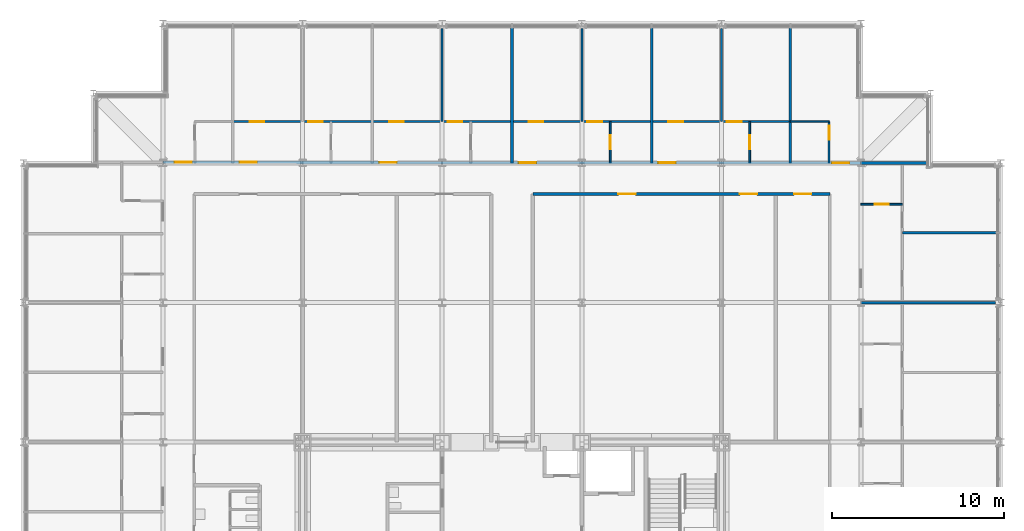
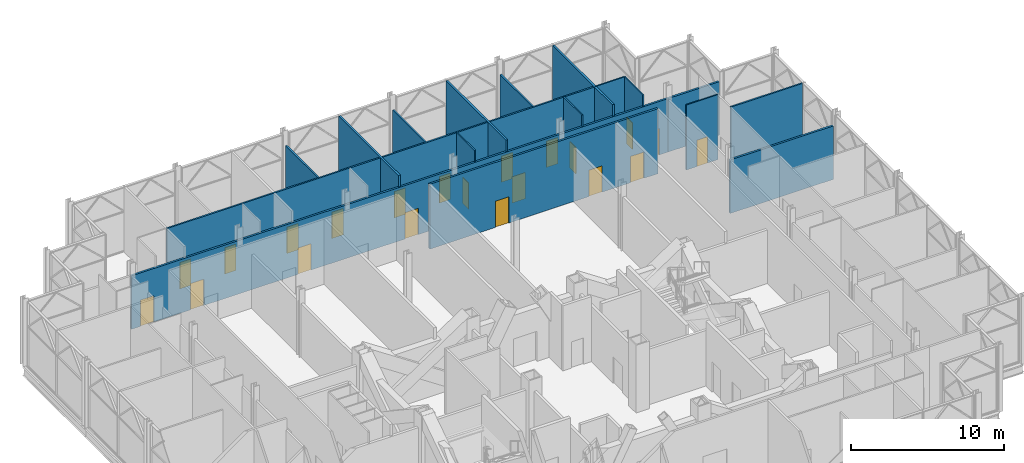
# One storey, part 23 of 26: 21 doors, 17 walls, 21 openings.
"""IFC4 building model written with IfcOpenShell, lengths in metres."""

from ifc_helpers import new_model, si_unit, direction, frame, frame_2d, origin, place, context, subcontext, project, spatial, rectangle, extrude, material, layer, layer_set, type_object, element, fill, save


model = new_model("IFC4")

# Units and contexts
model_context = context("Model", 3, precision=1e-05, world=origin(), true_north=direction((0.0, 1.0)))
body_context = subcontext(model_context, "Body", "Model", "MODEL_VIEW")
ifc_project = project(units=[si_unit("LENGTHUNIT", "METRE"), si_unit("AREAUNIT", "SQUARE_METRE"), si_unit("VOLUMEUNIT", "CUBIC_METRE"), si_unit("PLANEANGLEUNIT", "RADIAN"), si_unit("MASSUNIT", "GRAM", prefix="KILO")], contexts=[model_context])

# Site, building, storey
site_placement = place(None, origin())
site = spatial("IfcSite", under=ifc_project, at=site_placement, CompositionType="ELEMENT")
building_placement = place(site_placement, origin())
building = spatial("IfcBuilding", under=site, at=building_placement, Name="Kopane Lantern Tower", CompositionType="ELEMENT")
storey_placement = place(building_placement, frame((0.0, 0.0, 293.10009765625)))
storey = spatial("IfcBuildingStorey", under=building, at=storey_placement, Name="L75", CompositionType="ELEMENT", Elevation=293.10009765625)

# Wall, openings, doors
ifc_material_1 = material(Name="Gypsum board on steel studs", Category="steel")
ifc_layer_1 = layer(ifc_material_1, 0.1201171875)
ifc_layer_set_1 = layer_set([ifc_layer_1], Name="APARTMENT INTERNAL WALL 120")
wall_type_1 = type_object("IfcWallType", Name="APARTMENT INTERNAL WALL 120", PredefinedType="PARTITIONING", material=ifc_layer_set_1)
wall_1_placement = place(storey_placement, frame((12.14990234375, 59.10009765625, 0.0), z_axis=(0.0, 0.0, 1.0), x_axis=(1.0, 0.0, 0.0)))
wall_1 = element("IfcWall", 1, at=wall_1_placement, inside=storey, type_object=wall_type_1, Name="Apartment Internal Wall 120 L75", PredefinedType="PARTITIONING", context=body_context, shape_type="SweptSolid", body=[
    extrude(rectangle(XDim=32.352294921875, YDim=0.1201171875, at=frame_2d((16.17626953125, 0.0))), origin(), (0.0, 0.0, 1.0), 5.18994140625),
])
opening_1_placement = place(wall_1_placement, frame((0.97509765625, 0.0, 0.0)))
opening_1 = element("IfcOpeningElement", 2, at=opening_1_placement, cuts=wall_1, Name="Opening L75-022", PredefinedType="OPENING", context=body_context, shape_type="SweptSolid", body=[
    extrude(rectangle(XDim=0.85009765625, YDim=2.10009765625, at=frame_2d((0.425048828125, 1.050048828125))), frame((0.0, 0.070068359375, 0.0), z_axis=(0.0, -1.0, 0.0), x_axis=(1.0, 0.0, 0.0)), (0.0, 0.0, 1.0), 0.14013671875),
])
opening_2_placement = place(wall_1_placement, frame((4.375, 0.0, 0.0)))
opening_2 = element("IfcOpeningElement", 3, at=opening_2_placement, cuts=wall_1, Name="Opening L75-023", PredefinedType="OPENING", context=body_context, shape_type="SweptSolid", body=[
    extrude(rectangle(XDim=0.85009765625, YDim=2.10009765625, at=frame_2d((0.425048828125, 1.050048828125))), frame((0.0, 0.070068359375, 0.0), z_axis=(0.0, -1.0, 0.0), x_axis=(1.0, 0.0, 0.0)), (0.0, 0.0, 1.0), 0.14013671875),
])
opening_3_placement = place(wall_1_placement, frame((9.074951171875, 0.0, 0.0)))
opening_3 = element("IfcOpeningElement", 4, at=opening_3_placement, cuts=wall_1, Name="Opening L75-026", PredefinedType="OPENING", context=body_context, shape_type="SweptSolid", body=[
    extrude(rectangle(XDim=0.85009765625, YDim=2.10009765625, at=frame_2d((0.425048828125, 1.050048828125))), frame((0.0, 0.070068359375, 0.0), z_axis=(0.0, -1.0, 0.0), x_axis=(1.0, 0.0, 0.0)), (0.0, 0.0, 1.0), 0.14013671875),
])
opening_4_placement = place(wall_1_placement, frame((12.47509765625, 0.0, 0.0)))
opening_4 = element("IfcOpeningElement", 5, at=opening_4_placement, cuts=wall_1, Name="Opening L75-027", PredefinedType="OPENING", context=body_context, shape_type="SweptSolid", body=[
    extrude(rectangle(XDim=0.85009765625, YDim=2.10009765625, at=frame_2d((0.425048828125, 1.050048828125))), frame((0.0, 0.070068359375, 0.0), z_axis=(0.0, -1.0, 0.0), x_axis=(1.0, 0.0, 0.0)), (0.0, 0.0, 1.0), 0.14013671875),
])
opening_5_placement = place(wall_1_placement, frame((17.175048828125, 0.0, 0.0)))
opening_5 = element("IfcOpeningElement", 6, at=opening_5_placement, cuts=wall_1, Name="Opening L75-030", PredefinedType="OPENING", context=body_context, shape_type="SweptSolid", body=[
    extrude(rectangle(XDim=0.85009765625, YDim=2.10009765625, at=frame_2d((0.425048828125, 1.050048828125))), frame((0.0, 0.070068359375, 0.0), z_axis=(0.0, -1.0, 0.0), x_axis=(1.0, 0.0, 0.0)), (0.0, 0.0, 1.0), 0.14013671875),
])
opening_6_placement = place(wall_1_placement, frame((20.574951171875, 0.0, 0.0)))
opening_6 = element("IfcOpeningElement", 7, at=opening_6_placement, cuts=wall_1, Name="Opening L75-031", PredefinedType="OPENING", context=body_context, shape_type="SweptSolid", body=[
    extrude(rectangle(XDim=0.85009765625, YDim=2.10009765625, at=frame_2d((0.425048828125, 1.050048828125))), frame((0.0, 0.070068359375, 0.0), z_axis=(0.0, -1.0, 0.0), x_axis=(1.0, 0.0, 0.0)), (0.0, 0.0, 1.0), 0.14013671875),
])
opening_7_placement = place(wall_1_placement, frame((25.27490234375, 0.0, 0.0)))
opening_7 = element("IfcOpeningElement", 8, at=opening_7_placement, cuts=wall_1, Name="Opening L75-034", PredefinedType="OPENING", context=body_context, shape_type="SweptSolid", body=[
    extrude(rectangle(XDim=0.85009765625, YDim=2.10009765625, at=frame_2d((0.425048828125, 1.050048828125))), frame((0.0, 0.070068359375, 0.0), z_axis=(0.0, -1.0, 0.0), x_axis=(1.0, 0.0, 0.0)), (0.0, 0.0, 1.0), 0.14013671875),
])
opening_8_placement = place(wall_1_placement, frame((28.675048828125, 0.0, 0.0)))
opening_8 = element("IfcOpeningElement", 9, at=opening_8_placement, cuts=wall_1, Name="Opening L75-035", PredefinedType="OPENING", context=body_context, shape_type="SweptSolid", body=[
    extrude(rectangle(XDim=0.85009765625, YDim=2.10009765625, at=frame_2d((0.425048828125, 1.050048828125))), frame((0.0, 0.070068359375, 0.0), z_axis=(0.0, -1.0, 0.0), x_axis=(1.0, 0.0, 0.0)), (0.0, 0.0, 1.0), 0.14013671875),
])
ifc_material_2 = material(Name="Timber door set", Category="wood")
door_type_1 = type_object("IfcDoorType", Name="DOOR D4 850x2100", OperationType="SINGLE_SWING_LEFT", PredefinedType="DOOR", material=ifc_material_2)
door_1_placement = place(opening_1_placement, origin())
door_1 = element("IfcDoor", 10, at=door_1_placement, inside=storey, type_object=door_type_1, Name="Door L75-022", OperationType="SINGLE_SWING_RIGHT", OverallHeight=2.10009765625, OverallWidth=0.85009765625, PredefinedType="DOOR", context=body_context, shape_type="SweptSolid", body=[
    extrude(rectangle(XDim=0.85009765625, YDim=2.10009765625, at=frame_2d((0.425048828125, 1.050048828125))), frame((0.0, 0.02490234375, 0.0), z_axis=(0.0, -1.0, 0.0), x_axis=(1.0, 0.0, 0.0)), (0.0, 0.0, 1.0), 0.050048828125),
])
fill(opening_1, door_1)
door_2_placement = place(opening_2_placement, origin())
door_2 = element("IfcDoor", 11, at=door_2_placement, inside=storey, type_object=door_type_1, Name="Door L75-023", OperationType="SINGLE_SWING_LEFT", OverallHeight=2.10009765625, OverallWidth=0.85009765625, PredefinedType="DOOR", context=body_context, shape_type="SweptSolid", body=[
    extrude(rectangle(XDim=0.85009765625, YDim=2.10009765625, at=frame_2d((0.425048828125, 1.050048828125))), frame((0.0, 0.02490234375, 0.0), z_axis=(0.0, -1.0, 0.0), x_axis=(1.0, 0.0, 0.0)), (0.0, 0.0, 1.0), 0.050048828125),
])
fill(opening_2, door_2)
door_3_placement = place(opening_3_placement, origin())
door_3 = element("IfcDoor", 12, at=door_3_placement, inside=storey, type_object=door_type_1, Name="Door L75-026", OperationType="SINGLE_SWING_RIGHT", OverallHeight=2.10009765625, OverallWidth=0.85009765625, PredefinedType="DOOR", context=body_context, shape_type="SweptSolid", body=[
    extrude(rectangle(XDim=0.85009765625, YDim=2.10009765625, at=frame_2d((0.425048828125, 1.050048828125))), frame((0.0, 0.02490234375, 0.0), z_axis=(0.0, -1.0, 0.0), x_axis=(1.0, 0.0, 0.0)), (0.0, 0.0, 1.0), 0.050048828125),
])
fill(opening_3, door_3)
door_4_placement = place(opening_4_placement, origin())
door_4 = element("IfcDoor", 13, at=door_4_placement, inside=storey, type_object=door_type_1, Name="Door L75-027", OperationType="SINGLE_SWING_LEFT", OverallHeight=2.10009765625, OverallWidth=0.85009765625, PredefinedType="DOOR", context=body_context, shape_type="SweptSolid", body=[
    extrude(rectangle(XDim=0.85009765625, YDim=2.10009765625, at=frame_2d((0.425048828125, 1.050048828125))), frame((0.0, 0.02490234375, 0.0), z_axis=(0.0, -1.0, 0.0), x_axis=(1.0, 0.0, 0.0)), (0.0, 0.0, 1.0), 0.050048828125),
])
fill(opening_4, door_4)
door_5_placement = place(opening_5_placement, origin())
door_5 = element("IfcDoor", 14, at=door_5_placement, inside=storey, type_object=door_type_1, Name="Door L75-030", OperationType="SINGLE_SWING_RIGHT", OverallHeight=2.10009765625, OverallWidth=0.85009765625, PredefinedType="DOOR", context=body_context, shape_type="SweptSolid", body=[
    extrude(rectangle(XDim=0.85009765625, YDim=2.10009765625, at=frame_2d((0.425048828125, 1.050048828125))), frame((0.0, 0.02490234375, 0.0), z_axis=(0.0, -1.0, 0.0), x_axis=(1.0, 0.0, 0.0)), (0.0, 0.0, 1.0), 0.050048828125),
])
fill(opening_5, door_5)
door_6_placement = place(opening_6_placement, origin())
door_6 = element("IfcDoor", 15, at=door_6_placement, inside=storey, type_object=door_type_1, Name="Door L75-031", OperationType="SINGLE_SWING_LEFT", OverallHeight=2.10009765625, OverallWidth=0.85009765625, PredefinedType="DOOR", context=body_context, shape_type="SweptSolid", body=[
    extrude(rectangle(XDim=0.85009765625, YDim=2.10009765625, at=frame_2d((0.425048828125, 1.050048828125))), frame((0.0, 0.02490234375, 0.0), z_axis=(0.0, -1.0, 0.0), x_axis=(1.0, 0.0, 0.0)), (0.0, 0.0, 1.0), 0.050048828125),
])
fill(opening_6, door_6)
door_7_placement = place(opening_7_placement, origin())
door_7 = element("IfcDoor", 16, at=door_7_placement, inside=storey, type_object=door_type_1, Name="Door L75-034", OperationType="SINGLE_SWING_RIGHT", OverallHeight=2.10009765625, OverallWidth=0.85009765625, PredefinedType="DOOR", context=body_context, shape_type="SweptSolid", body=[
    extrude(rectangle(XDim=0.85009765625, YDim=2.10009765625, at=frame_2d((0.425048828125, 1.050048828125))), frame((0.0, 0.02490234375, 0.0), z_axis=(0.0, -1.0, 0.0), x_axis=(1.0, 0.0, 0.0)), (0.0, 0.0, 1.0), 0.050048828125),
])
fill(opening_7, door_7)
door_8_placement = place(opening_8_placement, origin())
door_8 = element("IfcDoor", 17, at=door_8_placement, inside=storey, type_object=door_type_1, Name="Door L75-035", OperationType="SINGLE_SWING_LEFT", OverallHeight=2.10009765625, OverallWidth=0.85009765625, PredefinedType="DOOR", context=body_context, shape_type="SweptSolid", body=[
    extrude(rectangle(XDim=0.85009765625, YDim=2.10009765625, at=frame_2d((0.425048828125, 1.050048828125))), frame((0.0, 0.02490234375, 0.0), z_axis=(0.0, -1.0, 0.0), x_axis=(1.0, 0.0, 0.0)), (0.0, 0.0, 1.0), 0.050048828125),
])
fill(opening_8, door_8)

# Walls
for number, where, z_axis, x_axis, name in (
    (18, (24.300048828125, 59.10009765625, 0.0), (0.0, 0.0, 1.0), (0.0, 1.0, 0.0), "Apartment Internal Wall 120 L75"),
    (19, (32.39990234375, 59.10009765625, 0.0), (0.0, 0.0, 1.0), (0.0, 1.0, 0.0), "Apartment Internal Wall 120 L75"),
    (20, (40.5, 59.10009765625, 0.0), (0.0, 0.0, 1.0), (0.0, 1.0, 0.0), "Apartment Internal Wall 120 L75"),
):
    element("IfcWall", number, at=place(storey_placement, frame(where, z_axis=z_axis, x_axis=x_axis)), inside=storey, type_object=wall_type_1, Name=name, PredefinedType="PARTITIONING", context=body_context, shape_type="SweptSolid", body=[
        extrude(rectangle(XDim=5.39990234375, YDim=0.1201171875, at=frame_2d((2.699951171875, 0.0))), origin(), (0.0, 0.0, 1.0), 4.271484375),
    ])
wall_2_placement = place(storey_placement, frame((51.0, 52.64990234375, 0.0), z_axis=(0.0, 0.0, 1.0), x_axis=(1.0, 0.0, 0.0)))
element("IfcWall", 21, at=wall_2_placement, inside=storey, type_object=wall_type_1, Name="Apartment Internal Wall 120 L75", PredefinedType="PARTITIONING", context=body_context, shape_type="SweptSolid", body=[
    extrude(rectangle(XDim=5.422119140625, YDim=0.1201171875, at=frame_2d((2.7109375, 0.0))), origin(), (0.0, 0.0, 1.0), 5.18994140625),
])

# Wall, opening, door
ifc_material_3 = material(Name="Moisture-resistant board on steel studs", Category="steel")
ifc_layer_2 = layer(ifc_material_3, 0.10009765625)
ifc_layer_set_2 = layer_set([ifc_layer_2], Name="BATHROOM WALL 100")
wall_type_2 = type_object("IfcWallType", Name="BATHROOM WALL 100", PredefinedType="PARTITIONING", material=ifc_layer_set_2)
wall_3_placement = place(storey_placement, frame((34.050048828125, 56.699951171875, 0.0), z_axis=(0.0, 0.0, 1.0), x_axis=(0.0, 1.0, 0.0)))
wall_3 = element("IfcWall", 22, at=wall_3_placement, inside=storey, type_object=wall_type_2, Name="Bathroom Wall 100 L75", PredefinedType="PARTITIONING", context=body_context, shape_type="SweptSolid", body=[
    extrude(rectangle(XDim=2.400146484375, YDim=0.10009765625, at=frame_2d((1.2001953125, 0.0))), origin(), (0.0, 0.0, 1.0), 5.18994140625),
])
opening_9_placement = place(wall_3_placement, frame((0.800048828125, 0.0, 0.0)))
opening_9 = element("IfcOpeningElement", 23, at=opening_9_placement, cuts=wall_3, Name="Opening L75-028", PredefinedType="OPENING", context=body_context, shape_type="SweptSolid", body=[
    extrude(rectangle(XDim=0.800048828125, YDim=2.10009765625, at=frame_2d((0.39990234375, 1.050048828125))), frame((0.0, 0.06005859375, 0.0), z_axis=(0.0, -1.0, 0.0), x_axis=(1.0, 0.0, 0.0)), (0.0, 0.0, 1.0), 0.1201171875),
])
ifc_material_4 = material(Name="Timber door set", Category="wood")
door_type_2 = type_object("IfcDoorType", Name="DOOR D2 800x2100", OperationType="SINGLE_SWING_LEFT", PredefinedType="DOOR", material=ifc_material_4)
door_9_placement = place(opening_9_placement, origin())
door_9 = element("IfcDoor", 24, at=door_9_placement, inside=storey, type_object=door_type_2, Name="Door L75-028", OperationType="SINGLE_SWING_RIGHT", OverallHeight=2.10009765625, OverallWidth=0.800048828125, PredefinedType="DOOR", context=body_context, shape_type="SweptSolid", body=[
    extrude(rectangle(XDim=0.800048828125, YDim=2.10009765625, at=frame_2d((0.39990234375, 1.050048828125))), frame((0.0, 0.02490234375, 0.0), z_axis=(0.0, -1.0, 0.0), x_axis=(1.0, 0.0, 0.0)), (0.0, 0.0, 1.0), 0.050048828125),
])
fill(opening_9, door_9)

wall_4_placement = place(storey_placement, frame((42.14990234375, 56.699951171875, 0.0), z_axis=(0.0, 0.0, 1.0), x_axis=(0.0, 1.0, 0.0)))
wall_4 = element("IfcWall", 25, at=wall_4_placement, inside=storey, type_object=wall_type_2, Name="Bathroom Wall 100 L75", PredefinedType="PARTITIONING", context=body_context, shape_type="SweptSolid", body=[
    extrude(rectangle(XDim=2.400146484375, YDim=0.10009765625, at=frame_2d((1.2001953125, 0.0))), origin(), (0.0, 0.0, 1.0), 5.18994140625),
])
opening_10_placement = place(wall_4_placement, frame((0.800048828125, 0.0, 0.0)))
opening_10 = element("IfcOpeningElement", 26, at=opening_10_placement, cuts=wall_4, Name="Opening L75-032", PredefinedType="OPENING", context=body_context, shape_type="SweptSolid", body=[
    extrude(rectangle(XDim=0.800048828125, YDim=2.10009765625, at=frame_2d((0.39990234375, 1.050048828125))), frame((0.0, 0.06005859375, 0.0), z_axis=(0.0, -1.0, 0.0), x_axis=(1.0, 0.0, 0.0)), (0.0, 0.0, 1.0), 0.1201171875),
])
door_10_placement = place(opening_10_placement, origin())
door_10 = element("IfcDoor", 27, at=door_10_placement, inside=storey, type_object=door_type_2, Name="Door L75-032", OperationType="SINGLE_SWING_RIGHT", OverallHeight=2.10009765625, OverallWidth=0.800048828125, PredefinedType="DOOR", context=body_context, shape_type="SweptSolid", body=[
    extrude(rectangle(XDim=0.800048828125, YDim=2.10009765625, at=frame_2d((0.39990234375, 1.050048828125))), frame((0.0, 0.02490234375, 0.0), z_axis=(0.0, -1.0, 0.0), x_axis=(1.0, 0.0, 0.0)), (0.0, 0.0, 1.0), 0.050048828125),
])
fill(opening_10, door_10)

wall_5_placement = place(storey_placement, frame((48.60009765625, 54.300048828125, 0.0), z_axis=(0.0, 0.0, 1.0), x_axis=(1.0, 0.0, 0.0)))
wall_5 = element("IfcWall", 28, at=wall_5_placement, inside=storey, type_object=wall_type_2, Name="Bathroom Wall 100 L75", PredefinedType="PARTITIONING", context=body_context, shape_type="SweptSolid", body=[
    extrude(rectangle(XDim=2.39990234375, YDim=0.10009765625, at=frame_2d((1.199951171875, 0.0))), origin(), (0.0, 0.0, 1.0), 5.18994140625),
])
opening_11_placement = place(wall_5_placement, frame((0.800048828125, 0.0, 0.0)))
opening_11 = element("IfcOpeningElement", 29, at=opening_11_placement, cuts=wall_5, Name="Opening L75-063", PredefinedType="OPENING", context=body_context, shape_type="SweptSolid", body=[
    extrude(rectangle(XDim=0.800048828125, YDim=2.10009765625, at=frame_2d((0.39990234375, 1.050048828125))), frame((0.0, 0.06005859375, 0.0), z_axis=(0.0, -1.0, 0.0), x_axis=(1.0, 0.0, 0.0)), (0.0, 0.0, 1.0), 0.1201171875),
])
door_11_placement = place(opening_11_placement, origin())
door_11 = element("IfcDoor", 30, at=door_11_placement, inside=storey, type_object=door_type_2, Name="Door L75-063", OperationType="SINGLE_SWING_LEFT", OverallHeight=2.10009765625, OverallWidth=0.800048828125, PredefinedType="DOOR", context=body_context, shape_type="SweptSolid", body=[
    extrude(rectangle(XDim=0.800048828125, YDim=2.10009765625, at=frame_2d((0.39990234375, 1.050048828125))), frame((0.0, 0.02490234375, 0.0), z_axis=(0.0, -1.0, 0.0), x_axis=(1.0, 0.0, 0.0)), (0.0, 0.0, 1.0), 0.050048828125),
])
fill(opening_11, door_11)

# Wall
wall_6_placement = place(storey_placement, frame((44.502197265625, 59.10009765625, 0.0), z_axis=(0.0, 0.0, 1.0), x_axis=(1.0, 0.0, 0.0)))
element("IfcWall", 31, at=wall_6_placement, inside=storey, type_object=wall_type_2, Name="Bathroom Wall 100 L75", PredefinedType="PARTITIONING", context=body_context, shape_type="SweptSolid", body=[
    extrude(rectangle(XDim=2.247802734375, YDim=0.10009765625, at=frame_2d((1.1240234375, 0.0))), origin(), (0.0, 0.0, 1.0), 5.18994140625),
])

# Wall, opening, door
wall_7_placement = place(storey_placement, frame((46.75, 56.699951171875, 0.0), z_axis=(0.0, 0.0, 1.0), x_axis=(0.0, 1.0, 0.0)))
wall_7 = element("IfcWall", 32, at=wall_7_placement, inside=storey, type_object=wall_type_2, Name="Bathroom Wall 100 L75", PredefinedType="PARTITIONING", context=body_context, shape_type="SweptSolid", body=[
    extrude(rectangle(XDim=2.400146484375, YDim=0.10009765625, at=frame_2d((1.2001953125, 0.0))), origin(), (0.0, 0.0, 1.0), 5.18994140625),
])
opening_12_placement = place(wall_7_placement, frame((1.35009765625, 0.0, 0.0)))
opening_12 = element("IfcOpeningElement", 33, at=opening_12_placement, cuts=wall_7, Name="Opening L75-071", PredefinedType="OPENING", context=body_context, shape_type="SweptSolid", body=[
    extrude(rectangle(XDim=0.800048828125, YDim=2.10009765625, at=frame_2d((0.39990234375, 1.050048828125))), frame((0.0, 0.06005859375, 0.0), z_axis=(0.0, -1.0, 0.0), x_axis=(1.0, 0.0, 0.0)), (0.0, 0.0, 1.0), 0.1201171875),
])
door_12_placement = place(opening_12_placement, origin())
door_12 = element("IfcDoor", 34, at=door_12_placement, inside=storey, type_object=door_type_2, Name="Door L75-071", OperationType="SINGLE_SWING_RIGHT", OverallHeight=2.10009765625, OverallWidth=0.800048828125, PredefinedType="DOOR", context=body_context, shape_type="SweptSolid", body=[
    extrude(rectangle(XDim=0.800048828125, YDim=2.10009765625, at=frame_2d((0.39990234375, 1.050048828125))), frame((0.0, 0.02490234375, 0.0), z_axis=(0.0, -1.0, 0.0), x_axis=(1.0, 0.0, 0.0)), (0.0, 0.0, 1.0), 0.050048828125),
])
fill(opening_12, door_12)

# Wall, openings, doors
ifc_material_5 = material(Name="Gypsum board on steel studs", Category="steel")
ifc_layer_3 = layer(ifc_material_5, 0.14990234375)
ifc_layer_set_3 = layer_set([ifc_layer_3], Name="CORRIDOR WALL 150 EI 60")
wall_type_3 = type_object("IfcWallType", Name="CORRIDOR WALL 150 EI 60", PredefinedType="PARTITIONING", material=ifc_layer_set_3)
wall_8_placement = place(storey_placement, frame((8.10009765625, 56.737548828125, 0.0), z_axis=(0.0, 0.0, 1.0), x_axis=(0.999999569095, -0.000928336791, 0.0)))
wall_8 = element("IfcWall", 35, at=wall_8_placement, inside=storey, type_object=wall_type_3, Name="Corridor Wall 150 Ei 60 L75", PredefinedType="PARTITIONING", context=body_context, shape_type="SweptSolid", body=[
    extrude(rectangle(XDim=40.5, YDim=0.14990234375, at=frame_2d((20.25, 0.0))), origin(), (0.0, 0.0, 1.0), 4.271484375),
])
opening_13_placement = place(wall_8_placement, frame((4.449951171875, 0.0, 0.0)))
opening_13 = element("IfcOpeningElement", 36, at=opening_13_placement, cuts=wall_8, Name="Opening L75-021", PredefinedType="OPENING", context=body_context, shape_type="SweptSolid", body=[
    extrude(rectangle(XDim=1.0, YDim=2.10009765625, at=frame_2d((0.5, 1.050048828125))), frame((0.0, 0.0849609375, 0.0), z_axis=(0.0, -1.0, 0.0), x_axis=(1.0, 0.0, 0.0)), (0.0, 0.0, 1.0), 0.169921875),
])
opening_14_placement = place(wall_8_placement, frame((12.550048828125, 0.0, 0.0)))
opening_14 = element("IfcOpeningElement", 37, at=opening_14_placement, cuts=wall_8, Name="Opening L75-025", PredefinedType="OPENING", context=body_context, shape_type="SweptSolid", body=[
    extrude(rectangle(XDim=1.0, YDim=2.10009765625, at=frame_2d((0.5, 1.050048828125))), frame((0.0, 0.0849609375, 0.0), z_axis=(0.0, -1.0, 0.0), x_axis=(1.0, 0.0, 0.0)), (0.0, 0.0, 1.0), 0.169921875),
])
opening_15_placement = place(wall_8_placement, frame((20.64990234375, 0.0, 0.0)))
opening_15 = element("IfcOpeningElement", 38, at=opening_15_placement, cuts=wall_8, Name="Opening L75-029", PredefinedType="OPENING", context=body_context, shape_type="SweptSolid", body=[
    extrude(rectangle(XDim=1.0, YDim=2.10009765625, at=frame_2d((0.5, 1.050048828125))), frame((0.0, 0.0849609375, 0.0), z_axis=(0.0, -1.0, 0.0), x_axis=(1.0, 0.0, 0.0)), (0.0, 0.0, 1.0), 0.169921875),
])
opening_16_placement = place(wall_8_placement, frame((28.75, 0.0, 0.0)))
opening_16 = element("IfcOpeningElement", 39, at=opening_16_placement, cuts=wall_8, Name="Opening L75-033", PredefinedType="OPENING", context=body_context, shape_type="SweptSolid", body=[
    extrude(rectangle(XDim=1.0, YDim=2.10009765625, at=frame_2d((0.5, 1.050048828125))), frame((0.0, 0.0849609375, 0.0), z_axis=(0.0, -1.0, 0.0), x_axis=(1.0, 0.0, 0.0)), (0.0, 0.0, 1.0), 0.169921875),
])
opening_17_placement = place(wall_8_placement, frame((38.824951171875, 0.0, 0.0)))
opening_17 = element("IfcOpeningElement", 40, at=opening_17_placement, cuts=wall_8, Name="Opening L75-072", PredefinedType="OPENING", context=body_context, shape_type="SweptSolid", body=[
    extrude(rectangle(XDim=1.0, YDim=2.10009765625, at=frame_2d((0.5, 1.050048828125))), frame((0.0, 0.0849609375, 0.0), z_axis=(0.0, -1.0, 0.0), x_axis=(1.0, 0.0, 0.0)), (0.0, 0.0, 1.0), 0.169921875),
])
opening_18_placement = place(wall_8_placement, frame((0.675048828125, 0.0, 0.0)))
opening_18 = element("IfcOpeningElement", 41, at=opening_18_placement, cuts=wall_8, Name="Opening L75-074", PredefinedType="OPENING", context=body_context, shape_type="SweptSolid", body=[
    extrude(rectangle(XDim=1.0, YDim=2.10009765625, at=frame_2d((0.5, 1.050048828125))), frame((0.0, 0.0849609375, 0.0), z_axis=(0.0, -1.0, 0.0), x_axis=(1.0, 0.0, 0.0)), (0.0, 0.0, 1.0), 0.169921875),
])
ifc_material_6 = material(Name="Steel door set", Category="steel")
door_type_3 = type_object("IfcDoorType", Name="DOOR D3 1000x2100 FD30S", OperationType="SINGLE_SWING_LEFT", PredefinedType="DOOR", material=ifc_material_6)
door_13_placement = place(opening_13_placement, origin())
door_13 = element("IfcDoor", 42, at=door_13_placement, inside=storey, type_object=door_type_3, Name="Door L75-021", OperationType="SINGLE_SWING_LEFT", OverallHeight=2.10009765625, OverallWidth=1.0, PredefinedType="DOOR", context=body_context, shape_type="SweptSolid", body=[
    extrude(rectangle(XDim=1.0, YDim=2.10009765625, at=frame_2d((0.5, 1.050048828125))), frame((0.0, 0.02490234375, 0.0), z_axis=(0.0, -1.0, 0.0), x_axis=(1.0, 0.0, 0.0)), (0.0, 0.0, 1.0), 0.050048828125),
])
fill(opening_13, door_13)
door_14_placement = place(opening_14_placement, origin())
door_14 = element("IfcDoor", 43, at=door_14_placement, inside=storey, type_object=door_type_3, Name="Door L75-025", OperationType="SINGLE_SWING_LEFT", OverallHeight=2.10009765625, OverallWidth=1.0, PredefinedType="DOOR", context=body_context, shape_type="SweptSolid", body=[
    extrude(rectangle(XDim=1.0, YDim=2.10009765625, at=frame_2d((0.5, 1.050048828125))), frame((0.0, 0.02490234375, 0.0), z_axis=(0.0, -1.0, 0.0), x_axis=(1.0, 0.0, 0.0)), (0.0, 0.0, 1.0), 0.050048828125),
])
fill(opening_14, door_14)
door_15_placement = place(opening_15_placement, origin())
door_15 = element("IfcDoor", 44, at=door_15_placement, inside=storey, type_object=door_type_3, Name="Door L75-029", OperationType="SINGLE_SWING_LEFT", OverallHeight=2.10009765625, OverallWidth=1.0, PredefinedType="DOOR", context=body_context, shape_type="SweptSolid", body=[
    extrude(rectangle(XDim=1.0, YDim=2.10009765625, at=frame_2d((0.5, 1.050048828125))), frame((0.0, 0.02490234375, 0.0), z_axis=(0.0, -1.0, 0.0), x_axis=(1.0, 0.0, 0.0)), (0.0, 0.0, 1.0), 0.050048828125),
])
fill(opening_15, door_15)
door_16_placement = place(opening_16_placement, origin())
door_16 = element("IfcDoor", 45, at=door_16_placement, inside=storey, type_object=door_type_3, Name="Door L75-033", OperationType="SINGLE_SWING_LEFT", OverallHeight=2.10009765625, OverallWidth=1.0, PredefinedType="DOOR", context=body_context, shape_type="SweptSolid", body=[
    extrude(rectangle(XDim=1.0, YDim=2.10009765625, at=frame_2d((0.5, 1.050048828125))), frame((0.0, 0.02490234375, 0.0), z_axis=(0.0, -1.0, 0.0), x_axis=(1.0, 0.0, 0.0)), (0.0, 0.0, 1.0), 0.050048828125),
])
fill(opening_16, door_16)
door_17_placement = place(opening_17_placement, origin())
door_17 = element("IfcDoor", 46, at=door_17_placement, inside=storey, type_object=door_type_3, Name="Door L75-072", OperationType="SINGLE_SWING_LEFT", OverallHeight=2.10009765625, OverallWidth=1.0, PredefinedType="DOOR", context=body_context, shape_type="SweptSolid", body=[
    extrude(rectangle(XDim=1.0, YDim=2.10009765625, at=frame_2d((0.5, 1.050048828125))), frame((0.0, 0.02490234375, 0.0), z_axis=(0.0, -1.0, 0.0), x_axis=(1.0, 0.0, 0.0)), (0.0, 0.0, 1.0), 0.050048828125),
])
fill(opening_17, door_17)
door_18_placement = place(opening_18_placement, origin())
door_18 = element("IfcDoor", 47, at=door_18_placement, inside=storey, type_object=door_type_3, Name="Door L75-074", OperationType="SINGLE_SWING_RIGHT", OverallHeight=2.10009765625, OverallWidth=1.0, PredefinedType="DOOR", context=body_context, shape_type="SweptSolid", body=[
    extrude(rectangle(XDim=1.0, YDim=2.10009765625, at=frame_2d((0.5, 1.050048828125))), frame((0.0, 0.02490234375, 0.0), z_axis=(0.0, -1.0, 0.0), x_axis=(1.0, 0.0, 0.0)), (0.0, 0.0, 1.0), 0.050048828125),
])
fill(opening_18, door_18)

wall_9_placement = place(storey_placement, frame((46.800048828125, 54.89990234375, 0.0), z_axis=(0.0, 0.0, 1.0), x_axis=(-1.0, 0.0, 0.0)))
wall_9 = element("IfcWall", 48, at=wall_9_placement, inside=storey, type_object=wall_type_3, Name="Corridor Wall 150 Ei 60 L75", PredefinedType="PARTITIONING", context=body_context, shape_type="SweptSolid", body=[
    extrude(rectangle(XDim=17.239990234375, YDim=0.14990234375, at=frame_2d((8.6201171875, 0.0))), origin(), (0.0, 0.0, 1.0), 5.18994140625),
])
opening_19_placement = place(wall_9_placement, frame((11.27490234375, 0.0, 0.0)))
opening_19 = element("IfcOpeningElement", 49, at=opening_19_placement, cuts=wall_9, Name="Opening L75-011", PredefinedType="OPENING", context=body_context, shape_type="SweptSolid", body=[
    extrude(rectangle(XDim=1.0, YDim=2.10009765625, at=frame_2d((0.5, 1.050048828125))), frame((0.0, 0.0849609375, 0.0), z_axis=(0.0, -1.0, 0.0), x_axis=(1.0, 0.0, 0.0)), (0.0, 0.0, 1.0), 0.169921875),
])
opening_20_placement = place(wall_9_placement, frame((4.22509765625, 0.0, 0.0)))
opening_20 = element("IfcOpeningElement", 50, at=opening_20_placement, cuts=wall_9, Name="Opening L75-012", PredefinedType="OPENING", context=body_context, shape_type="SweptSolid", body=[
    extrude(rectangle(XDim=1.0, YDim=2.10009765625, at=frame_2d((0.5, 1.050048828125))), frame((0.0, 0.0849609375, 0.0), z_axis=(0.0, -1.0, 0.0), x_axis=(1.0, 0.0, 0.0)), (0.0, 0.0, 1.0), 0.169921875),
])
opening_21_placement = place(wall_9_placement, frame((1.074951171875, 0.0, 0.0)))
opening_21 = element("IfcOpeningElement", 51, at=opening_21_placement, cuts=wall_9, Name="Opening L75-013", PredefinedType="OPENING", context=body_context, shape_type="SweptSolid", body=[
    extrude(rectangle(XDim=1.0, YDim=2.10009765625, at=frame_2d((0.5, 1.050048828125))), frame((0.0, 0.0849609375, 0.0), z_axis=(0.0, -1.0, 0.0), x_axis=(1.0, 0.0, 0.0)), (0.0, 0.0, 1.0), 0.169921875),
])
ifc_material_7 = material(Name="Steel door set", Category="steel")
door_type_4 = type_object("IfcDoorType", Name="DOOR D5 1000x2100 FD60", OperationType="SINGLE_SWING_LEFT", PredefinedType="DOOR", material=ifc_material_7)
door_19_placement = place(opening_19_placement, origin())
door_19 = element("IfcDoor", 52, at=door_19_placement, inside=storey, type_object=door_type_4, Name="Door L75-011", OperationType="SINGLE_SWING_LEFT", OverallHeight=2.10009765625, OverallWidth=1.0, PredefinedType="DOOR", context=body_context, shape_type="SweptSolid", body=[
    extrude(rectangle(XDim=1.0, YDim=2.10009765625, at=frame_2d((0.5, 1.050048828125))), frame((0.0, 0.02490234375, 0.0), z_axis=(0.0, -1.0, 0.0), x_axis=(1.0, 0.0, 0.0)), (0.0, 0.0, 1.0), 0.050048828125),
])
fill(opening_19, door_19)
door_20_placement = place(opening_20_placement, origin())
door_20 = element("IfcDoor", 53, at=door_20_placement, inside=storey, type_object=door_type_4, Name="Door L75-012", OperationType="SINGLE_SWING_RIGHT", OverallHeight=2.10009765625, OverallWidth=1.0, PredefinedType="DOOR", context=body_context, shape_type="SweptSolid", body=[
    extrude(rectangle(XDim=1.0, YDim=2.10009765625, at=frame_2d((0.5, 1.050048828125))), frame((0.0, 0.02490234375, 0.0), z_axis=(0.0, -1.0, 0.0), x_axis=(1.0, 0.0, 0.0)), (0.0, 0.0, 1.0), 0.050048828125),
])
fill(opening_20, door_20)
door_21_placement = place(opening_21_placement, origin())
door_21 = element("IfcDoor", 54, at=door_21_placement, inside=storey, type_object=door_type_4, Name="Door L75-013", OperationType="SINGLE_SWING_LEFT", OverallHeight=2.10009765625, OverallWidth=1.0, PredefinedType="DOOR", context=body_context, shape_type="SweptSolid", body=[
    extrude(rectangle(XDim=1.0, YDim=2.10009765625, at=frame_2d((0.5, 1.050048828125))), frame((0.0, 0.02490234375, 0.0), z_axis=(0.0, -1.0, 0.0), x_axis=(1.0, 0.0, 0.0)), (0.0, 0.0, 1.0), 0.050048828125),
])
fill(opening_21, door_21)

# Walls
ifc_material_8 = material(Name="Gypsum board on steel studs", Category="steel")
ifc_layer_4 = layer(ifc_material_8, 0.14990234375)
ifc_layer_set_4 = layer_set([ifc_layer_4], Name="DEMISING WALL 150 EI 60")
wall_type_4 = type_object("IfcWallType", Name="DEMISING WALL 150 EI 60", PredefinedType="PARTITIONING", material=ifc_layer_set_4)
for number, where, z_axis, x_axis, name in (
    (55, (28.35009765625, 56.699951171875, 0.0), (0.0, 0.0, 1.0), (0.0, 1.0, 0.0), "Demising Wall 150 Ei 60 L75"),
    (56, (36.449951171875, 56.699951171875, 0.0), (0.0, 0.0, 1.0), (0.0, 1.0, 0.0), "Demising Wall 150 Ei 60 L75"),
):
    element("IfcWall", number, at=place(storey_placement, frame(where, z_axis=z_axis, x_axis=x_axis)), inside=storey, type_object=wall_type_4, Name=name, PredefinedType="PARTITIONING", context=body_context, shape_type="SweptSolid", body=[
        extrude(rectangle(XDim=7.822021484375, YDim=0.14990234375, at=frame_2d((3.9111328125, 0.0))), origin(), (0.0, 0.0, 1.0), 5.18994140625),
    ])
wall_10_placement = place(storey_placement, frame((48.60009765625, 48.60009765625, 0.0), z_axis=(0.0, 0.0, 1.0), x_axis=(1.0, 0.0, 0.0)))
element("IfcWall", 57, at=wall_10_placement, inside=storey, type_object=wall_type_4, Name="Demising Wall 150 Ei 60 L75", PredefinedType="PARTITIONING", context=body_context, shape_type="SweptSolid", body=[
    extrude(rectangle(XDim=7.7998046875, YDim=0.14990234375, at=frame_2d((3.89990234375, 0.0))), origin(), (0.0, 0.0, 1.0), 4.271484375),
])
wall_11_placement = place(storey_placement, frame((48.60009765625, 56.699951171875, 0.0), z_axis=(0.0, 0.0, 1.0), x_axis=(1.0, 0.0, 0.0)))
element("IfcWall", 58, at=wall_11_placement, inside=storey, type_object=wall_type_4, Name="Demising Wall 150 Ei 60 L75", PredefinedType="PARTITIONING", context=body_context, shape_type="SweptSolid", body=[
    extrude(rectangle(XDim=3.87890625, YDim=0.14990234375, at=frame_2d((1.939453125, 0.0))), origin(), (0.0, 0.0, 1.0), 4.271484375),
])
wall_12_placement = place(storey_placement, frame((44.502197265625, 56.699951171875, 0.0), z_axis=(0.0, 0.0, 1.0), x_axis=(0.0, 1.0, 0.0)))
element("IfcWall", 59, at=wall_12_placement, inside=storey, type_object=wall_type_4, Name="Demising Wall 150 Ei 60 L75", PredefinedType="PARTITIONING", context=body_context, shape_type="SweptSolid", body=[
    extrude(rectangle(XDim=7.822021484375, YDim=0.14990234375, at=frame_2d((3.9111328125, 0.0))), origin(), (0.0, 0.0, 1.0), 5.18994140625),
])

save(model, "model.ifc")
